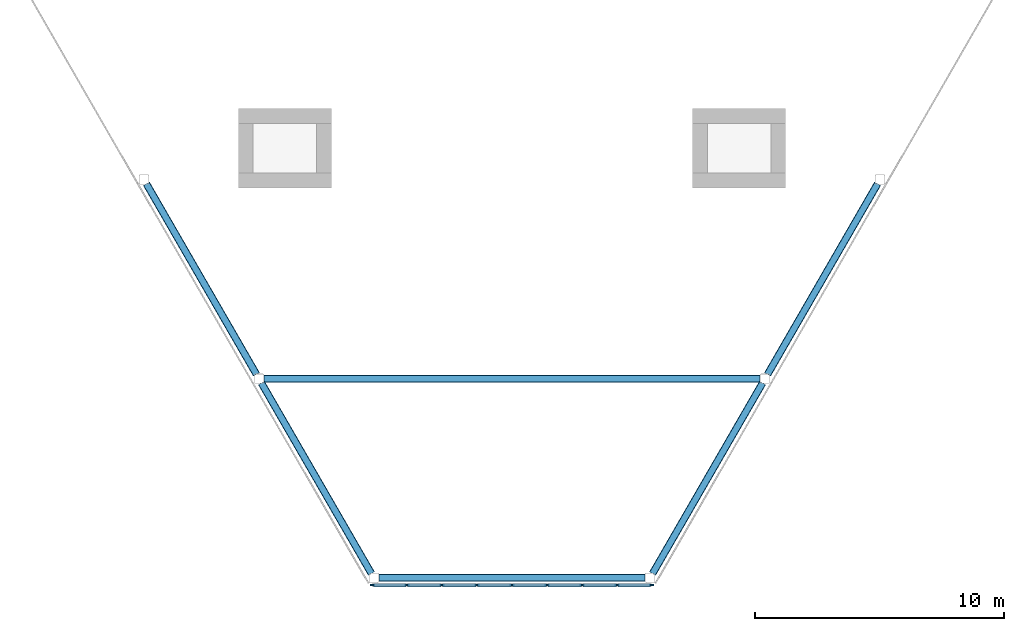
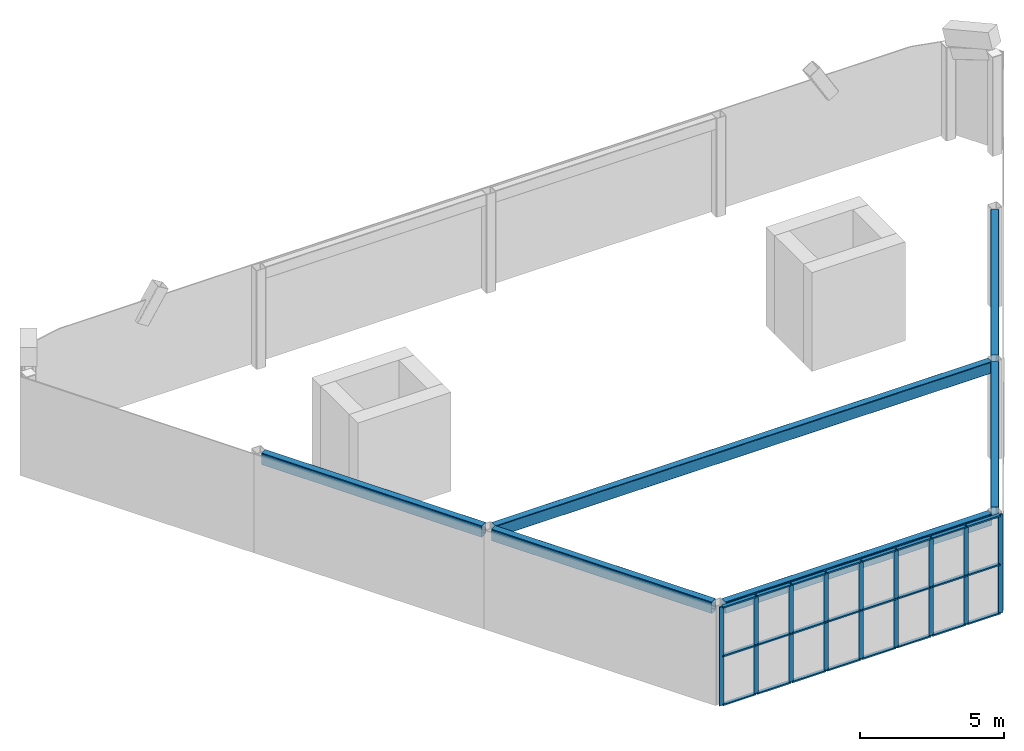
# One storey, part 2 of 4: 33 members, 6 beams, 1 element without a shape of its own.
"""IFC4 building model written with IfcOpenShell, lengths in metres."""

from ifc_helpers import new_model, si_unit, direction, frame, origin, origin_2d, place, context, subcontext, project, spatial, rectangle, hollow_rectangle, extrude, material, material_profile, profile_set, type_object, element, aggregate, save


model = new_model("IFC4")

# Units and contexts
model_context = context("Model", 3, precision=1e-05, world=origin(), true_north=direction((0.0, 1.0)))
body_context = subcontext(model_context, "Body", "Model", "MODEL_VIEW")
ifc_project = project(units=[si_unit("LENGTHUNIT", "METRE"), si_unit("AREAUNIT", "SQUARE_METRE"), si_unit("VOLUMEUNIT", "CUBIC_METRE"), si_unit("PLANEANGLEUNIT", "RADIAN"), si_unit("MASSUNIT", "GRAM", prefix="KILO")], contexts=[model_context])

# Site, building, storey
site_placement = place(None, origin())
site = spatial("IfcSite", under=ifc_project, at=site_placement, CompositionType="ELEMENT")
building_placement = place(site_placement, origin())
building = spatial("IfcBuilding", under=site, at=building_placement, Name="Aloe Facet Convention Tower", CompositionType="ELEMENT")
storey_placement = place(building_placement, frame((0.0, 0.0, 289.699951171875)))
storey = spatial("IfcBuildingStorey", under=building, at=storey_placement, Name="C2", CompositionType="ELEMENT", Elevation=289.699951171875)

# Curtain wall, members
ifc_material_1 = material(Name="Aluminium, anodised", Category="aluminium")
curtain_wall_type = type_object("IfcCurtainWallType", Name="EV-CW-CROWN", PredefinedType="USERDEFINED", material=ifc_material_1)
curtain_wall_placement = place(storey_placement, origin())
curtain_wall = element("IfcCurtainWall", 1, at=curtain_wall_placement, inside=storey, type_object=curtain_wall_type, Name="CW-C2-Z09", ObjectType="CROWN SCREEN GLAZING", PredefinedType="USERDEFINED")
ifc_material_2 = material(Name="Aluminium, anodised", Category="aluminium")
ifc_material_profile_1 = material_profile(ifc_material_2, rectangle(XDim=0.06005859375, YDim=0.179931640625, at=origin_2d()), Name="AL 60x180")
ifc_profile_set_1 = profile_set([ifc_material_profile_1], Name="Aluminium, anodised")
member_type_1 = type_object("IfcMemberType", Name="EV-MULL-CROWN", PredefinedType="MULLION", material=ifc_profile_set_1)
member_1_placement = place(storey_placement, frame((74.401611328125, 108.890625, 0.0), z_axis=(0.0, 0.0, 1.0), x_axis=(0.0, 1.0, 0.0)))
member_1 = element("IfcMember", 2, at=member_1_placement, type_object=member_type_1, Name="CW-C2-Z09 mullion 1", PredefinedType="MULLION", context=body_context, shape_type="SweptSolid", body=[
    extrude(rectangle(XDim=0.06005859375, YDim=0.179931640625, at=origin_2d()), origin(), (0.0, 0.0, 1.0), 4.199951171875),
])
member_2_placement = place(storey_placement, frame((75.77880859375, 108.890625, 0.0), z_axis=(0.0, 0.0, 1.0), x_axis=(0.0, 1.0, 0.0)))
member_2 = element("IfcMember", 3, at=member_2_placement, type_object=member_type_1, Name="CW-C2-Z09 mullion 2", PredefinedType="MULLION", context=body_context, shape_type="SweptSolid", body=[
    extrude(rectangle(XDim=0.06005859375, YDim=0.179931640625, at=origin_2d()), origin(), (0.0, 0.0, 1.0), 4.199951171875),
])
member_3_placement = place(storey_placement, frame((77.185791015625, 108.890625, 0.0), z_axis=(0.0, 0.0, 1.0), x_axis=(0.0, 1.0, 0.0)))
member_3 = element("IfcMember", 4, at=member_3_placement, type_object=member_type_1, Name="CW-C2-Z09 mullion 3", PredefinedType="MULLION", context=body_context, shape_type="SweptSolid", body=[
    extrude(rectangle(XDim=0.06005859375, YDim=0.179931640625, at=origin_2d()), origin(), (0.0, 0.0, 1.0), 4.199951171875),
])
member_4_placement = place(storey_placement, frame((78.593017578125, 108.890625, 0.0), z_axis=(0.0, 0.0, 1.0), x_axis=(0.0, 1.0, 0.0)))
member_4 = element("IfcMember", 5, at=member_4_placement, type_object=member_type_1, Name="CW-C2-Z09 mullion 4", PredefinedType="MULLION", context=body_context, shape_type="SweptSolid", body=[
    extrude(rectangle(XDim=0.06005859375, YDim=0.179931640625, at=origin_2d()), origin(), (0.0, 0.0, 1.0), 4.199951171875),
])
member_5_placement = place(storey_placement, frame((80.0, 108.890625, 0.0), z_axis=(0.0, 0.0, 1.0), x_axis=(0.0, 1.0, 0.0)))
member_5 = element("IfcMember", 6, at=member_5_placement, type_object=member_type_1, Name="CW-C2-Z09 mullion 5", PredefinedType="MULLION", context=body_context, shape_type="SweptSolid", body=[
    extrude(rectangle(XDim=0.06005859375, YDim=0.179931640625, at=origin_2d()), origin(), (0.0, 0.0, 1.0), 4.199951171875),
])
member_6_placement = place(storey_placement, frame((81.406982421875, 108.890625, 0.0), z_axis=(0.0, 0.0, 1.0), x_axis=(0.0, 1.0, 0.0)))
member_6 = element("IfcMember", 7, at=member_6_placement, type_object=member_type_1, Name="CW-C2-Z09 mullion 6", PredefinedType="MULLION", context=body_context, shape_type="SweptSolid", body=[
    extrude(rectangle(XDim=0.06005859375, YDim=0.179931640625, at=origin_2d()), origin(), (0.0, 0.0, 1.0), 4.199951171875),
])
member_7_placement = place(storey_placement, frame((82.814208984375, 108.890625, 0.0), z_axis=(0.0, 0.0, 1.0), x_axis=(0.0, 1.0, 0.0)))
member_7 = element("IfcMember", 8, at=member_7_placement, type_object=member_type_1, Name="CW-C2-Z09 mullion 7", PredefinedType="MULLION", context=body_context, shape_type="SweptSolid", body=[
    extrude(rectangle(XDim=0.06005859375, YDim=0.179931640625, at=origin_2d()), origin(), (0.0, 0.0, 1.0), 4.199951171875),
])
member_8_placement = place(storey_placement, frame((84.22119140625, 108.890625, 0.0), z_axis=(0.0, 0.0, 1.0), x_axis=(0.0, 1.0, 0.0)))
member_8 = element("IfcMember", 9, at=member_8_placement, type_object=member_type_1, Name="CW-C2-Z09 mullion 8", PredefinedType="MULLION", context=body_context, shape_type="SweptSolid", body=[
    extrude(rectangle(XDim=0.06005859375, YDim=0.179931640625, at=origin_2d()), origin(), (0.0, 0.0, 1.0), 4.199951171875),
])
member_9_placement = place(storey_placement, frame((85.598388671875, 108.890625, 0.0), z_axis=(0.0, 0.0, 1.0), x_axis=(0.0, 1.0, 0.0)))
member_9 = element("IfcMember", 10, at=member_9_placement, type_object=member_type_1, Name="CW-C2-Z09 mullion 9", PredefinedType="MULLION", context=body_context, shape_type="SweptSolid", body=[
    extrude(rectangle(XDim=0.06005859375, YDim=0.179931640625, at=origin_2d()), origin(), (0.0, 0.0, 1.0), 4.199951171875),
])
ifc_material_3 = material(Name="Aluminium, anodised", Category="aluminium")
ifc_material_profile_2 = material_profile(ifc_material_3, rectangle(XDim=0.139892578125, YDim=0.06005859375, at=origin_2d()), Name="AL 140x60")
ifc_profile_set_2 = profile_set([ifc_material_profile_2], Name="Aluminium, anodised")
member_type_2 = type_object("IfcMemberType", Name="EV-TRAN-CROWN", PredefinedType="USERDEFINED", material=ifc_profile_set_2)
member_10_placement = place(storey_placement, frame((74.431640625, 108.890625, 0.030029296875), z_axis=(1.0, 0.0, 0.0), x_axis=(0.0, 1.0, 0.0)))
member_10 = element("IfcMember", 11, at=member_10_placement, type_object=member_type_2, Name="CW-C2-Z09 transom 1.1", ObjectType="TRANSOM", PredefinedType="USERDEFINED", context=body_context, shape_type="SweptSolid", body=[
    extrude(rectangle(XDim=0.139892578125, YDim=0.06005859375, at=origin_2d()), origin(), (0.0, 0.0, 1.0), 1.317138671875),
])
member_11_placement = place(storey_placement, frame((74.431640625, 108.890625, 2.10009765625), z_axis=(1.0, 0.0, 0.0), x_axis=(0.0, 1.0, 0.0)))
member_11 = element("IfcMember", 12, at=member_11_placement, type_object=member_type_2, Name="CW-C2-Z09 transom 1.2", ObjectType="TRANSOM", PredefinedType="USERDEFINED", context=body_context, shape_type="SweptSolid", body=[
    extrude(rectangle(XDim=0.139892578125, YDim=0.06005859375, at=origin_2d()), origin(), (0.0, 0.0, 1.0), 1.317138671875),
])
member_12_placement = place(storey_placement, frame((74.431640625, 108.890625, 4.170166015625), z_axis=(1.0, 0.0, 0.0), x_axis=(0.0, 1.0, 0.0)))
member_12 = element("IfcMember", 13, at=member_12_placement, type_object=member_type_2, Name="CW-C2-Z09 transom 1.3", ObjectType="TRANSOM", PredefinedType="USERDEFINED", context=body_context, shape_type="SweptSolid", body=[
    extrude(rectangle(XDim=0.139892578125, YDim=0.06005859375, at=origin_2d()), origin(), (0.0, 0.0, 1.0), 1.317138671875),
])
member_13_placement = place(storey_placement, frame((75.808837890625, 108.890625, 0.030029296875), z_axis=(1.0, 0.0, 0.0), x_axis=(0.0, 1.0, 0.0)))
member_13 = element("IfcMember", 14, at=member_13_placement, type_object=member_type_2, Name="CW-C2-Z09 transom 2.1", ObjectType="TRANSOM", PredefinedType="USERDEFINED", context=body_context, shape_type="SweptSolid", body=[
    extrude(rectangle(XDim=0.139892578125, YDim=0.06005859375, at=origin_2d()), origin(), (0.0, 0.0, 1.0), 1.346923828125),
])
member_14_placement = place(storey_placement, frame((75.808837890625, 108.890625, 2.10009765625), z_axis=(1.0, 0.0, 0.0), x_axis=(0.0, 1.0, 0.0)))
member_14 = element("IfcMember", 15, at=member_14_placement, type_object=member_type_2, Name="CW-C2-Z09 transom 2.2", ObjectType="TRANSOM", PredefinedType="USERDEFINED", context=body_context, shape_type="SweptSolid", body=[
    extrude(rectangle(XDim=0.139892578125, YDim=0.06005859375, at=origin_2d()), origin(), (0.0, 0.0, 1.0), 1.346923828125),
])
member_15_placement = place(storey_placement, frame((75.808837890625, 108.890625, 4.170166015625), z_axis=(1.0, 0.0, 0.0), x_axis=(0.0, 1.0, 0.0)))
member_15 = element("IfcMember", 16, at=member_15_placement, type_object=member_type_2, Name="CW-C2-Z09 transom 2.3", ObjectType="TRANSOM", PredefinedType="USERDEFINED", context=body_context, shape_type="SweptSolid", body=[
    extrude(rectangle(XDim=0.139892578125, YDim=0.06005859375, at=origin_2d()), origin(), (0.0, 0.0, 1.0), 1.346923828125),
])
member_16_placement = place(storey_placement, frame((77.2158203125, 108.890625, 0.030029296875), z_axis=(1.0, 0.0, 0.0), x_axis=(0.0, 1.0, 0.0)))
member_16 = element("IfcMember", 17, at=member_16_placement, type_object=member_type_2, Name="CW-C2-Z09 transom 3.1", ObjectType="TRANSOM", PredefinedType="USERDEFINED", context=body_context, shape_type="SweptSolid", body=[
    extrude(rectangle(XDim=0.139892578125, YDim=0.06005859375, at=origin_2d()), origin(), (0.0, 0.0, 1.0), 1.34716796875),
])
member_17_placement = place(storey_placement, frame((77.2158203125, 108.890625, 2.10009765625), z_axis=(1.0, 0.0, 0.0), x_axis=(0.0, 1.0, 0.0)))
member_17 = element("IfcMember", 18, at=member_17_placement, type_object=member_type_2, Name="CW-C2-Z09 transom 3.2", ObjectType="TRANSOM", PredefinedType="USERDEFINED", context=body_context, shape_type="SweptSolid", body=[
    extrude(rectangle(XDim=0.139892578125, YDim=0.06005859375, at=origin_2d()), origin(), (0.0, 0.0, 1.0), 1.34716796875),
])
member_18_placement = place(storey_placement, frame((77.2158203125, 108.890625, 4.170166015625), z_axis=(1.0, 0.0, 0.0), x_axis=(0.0, 1.0, 0.0)))
member_18 = element("IfcMember", 19, at=member_18_placement, type_object=member_type_2, Name="CW-C2-Z09 transom 3.3", ObjectType="TRANSOM", PredefinedType="USERDEFINED", context=body_context, shape_type="SweptSolid", body=[
    extrude(rectangle(XDim=0.139892578125, YDim=0.06005859375, at=origin_2d()), origin(), (0.0, 0.0, 1.0), 1.34716796875),
])
member_19_placement = place(storey_placement, frame((78.622802734375, 108.890625, 0.030029296875), z_axis=(1.0, 0.0, 0.0), x_axis=(0.0, 1.0, 0.0)))
member_19 = element("IfcMember", 20, at=member_19_placement, type_object=member_type_2, Name="CW-C2-Z09 transom 4.1", ObjectType="TRANSOM", PredefinedType="USERDEFINED", context=body_context, shape_type="SweptSolid", body=[
    extrude(rectangle(XDim=0.139892578125, YDim=0.06005859375, at=origin_2d()), origin(), (0.0, 0.0, 1.0), 1.34716796875),
])
member_20_placement = place(storey_placement, frame((78.622802734375, 108.890625, 2.10009765625), z_axis=(1.0, 0.0, 0.0), x_axis=(0.0, 1.0, 0.0)))
member_20 = element("IfcMember", 21, at=member_20_placement, type_object=member_type_2, Name="CW-C2-Z09 transom 4.2", ObjectType="TRANSOM", PredefinedType="USERDEFINED", context=body_context, shape_type="SweptSolid", body=[
    extrude(rectangle(XDim=0.139892578125, YDim=0.06005859375, at=origin_2d()), origin(), (0.0, 0.0, 1.0), 1.34716796875),
])
member_21_placement = place(storey_placement, frame((78.622802734375, 108.890625, 4.170166015625), z_axis=(1.0, 0.0, 0.0), x_axis=(0.0, 1.0, 0.0)))
member_21 = element("IfcMember", 22, at=member_21_placement, type_object=member_type_2, Name="CW-C2-Z09 transom 4.3", ObjectType="TRANSOM", PredefinedType="USERDEFINED", context=body_context, shape_type="SweptSolid", body=[
    extrude(rectangle(XDim=0.139892578125, YDim=0.06005859375, at=origin_2d()), origin(), (0.0, 0.0, 1.0), 1.34716796875),
])
member_22_placement = place(storey_placement, frame((80.030029296875, 108.890625, 0.030029296875), z_axis=(1.0, 0.0, 0.0), x_axis=(0.0, 1.0, 0.0)))
member_22 = element("IfcMember", 23, at=member_22_placement, type_object=member_type_2, Name="CW-C2-Z09 transom 5.1", ObjectType="TRANSOM", PredefinedType="USERDEFINED", context=body_context, shape_type="SweptSolid", body=[
    extrude(rectangle(XDim=0.139892578125, YDim=0.06005859375, at=origin_2d()), origin(), (0.0, 0.0, 1.0), 1.34716796875),
])
member_23_placement = place(storey_placement, frame((80.030029296875, 108.890625, 2.10009765625), z_axis=(1.0, 0.0, 0.0), x_axis=(0.0, 1.0, 0.0)))
member_23 = element("IfcMember", 24, at=member_23_placement, type_object=member_type_2, Name="CW-C2-Z09 transom 5.2", ObjectType="TRANSOM", PredefinedType="USERDEFINED", context=body_context, shape_type="SweptSolid", body=[
    extrude(rectangle(XDim=0.139892578125, YDim=0.06005859375, at=origin_2d()), origin(), (0.0, 0.0, 1.0), 1.34716796875),
])
member_24_placement = place(storey_placement, frame((80.030029296875, 108.890625, 4.170166015625), z_axis=(1.0, 0.0, 0.0), x_axis=(0.0, 1.0, 0.0)))
member_24 = element("IfcMember", 25, at=member_24_placement, type_object=member_type_2, Name="CW-C2-Z09 transom 5.3", ObjectType="TRANSOM", PredefinedType="USERDEFINED", context=body_context, shape_type="SweptSolid", body=[
    extrude(rectangle(XDim=0.139892578125, YDim=0.06005859375, at=origin_2d()), origin(), (0.0, 0.0, 1.0), 1.34716796875),
])
member_25_placement = place(storey_placement, frame((81.43701171875, 108.890625, 0.030029296875), z_axis=(1.0, 0.0, 0.0), x_axis=(0.0, 1.0, 0.0)))
member_25 = element("IfcMember", 26, at=member_25_placement, type_object=member_type_2, Name="CW-C2-Z09 transom 6.1", ObjectType="TRANSOM", PredefinedType="USERDEFINED", context=body_context, shape_type="SweptSolid", body=[
    extrude(rectangle(XDim=0.139892578125, YDim=0.06005859375, at=origin_2d()), origin(), (0.0, 0.0, 1.0), 1.34716796875),
])
member_26_placement = place(storey_placement, frame((81.43701171875, 108.890625, 2.10009765625), z_axis=(1.0, 0.0, 0.0), x_axis=(0.0, 1.0, 0.0)))
member_26 = element("IfcMember", 27, at=member_26_placement, type_object=member_type_2, Name="CW-C2-Z09 transom 6.2", ObjectType="TRANSOM", PredefinedType="USERDEFINED", context=body_context, shape_type="SweptSolid", body=[
    extrude(rectangle(XDim=0.139892578125, YDim=0.06005859375, at=origin_2d()), origin(), (0.0, 0.0, 1.0), 1.34716796875),
])
member_27_placement = place(storey_placement, frame((81.43701171875, 108.890625, 4.170166015625), z_axis=(1.0, 0.0, 0.0), x_axis=(0.0, 1.0, 0.0)))
member_27 = element("IfcMember", 28, at=member_27_placement, type_object=member_type_2, Name="CW-C2-Z09 transom 6.3", ObjectType="TRANSOM", PredefinedType="USERDEFINED", context=body_context, shape_type="SweptSolid", body=[
    extrude(rectangle(XDim=0.139892578125, YDim=0.06005859375, at=origin_2d()), origin(), (0.0, 0.0, 1.0), 1.34716796875),
])
member_28_placement = place(storey_placement, frame((82.84423828125, 108.890625, 0.030029296875), z_axis=(1.0, 0.0, 0.0), x_axis=(0.0, 1.0, 0.0)))
member_28 = element("IfcMember", 29, at=member_28_placement, type_object=member_type_2, Name="CW-C2-Z09 transom 7.1", ObjectType="TRANSOM", PredefinedType="USERDEFINED", context=body_context, shape_type="SweptSolid", body=[
    extrude(rectangle(XDim=0.139892578125, YDim=0.06005859375, at=origin_2d()), origin(), (0.0, 0.0, 1.0), 1.346923828125),
])
member_29_placement = place(storey_placement, frame((82.84423828125, 108.890625, 2.10009765625), z_axis=(1.0, 0.0, 0.0), x_axis=(0.0, 1.0, 0.0)))
member_29 = element("IfcMember", 30, at=member_29_placement, type_object=member_type_2, Name="CW-C2-Z09 transom 7.2", ObjectType="TRANSOM", PredefinedType="USERDEFINED", context=body_context, shape_type="SweptSolid", body=[
    extrude(rectangle(XDim=0.139892578125, YDim=0.06005859375, at=origin_2d()), origin(), (0.0, 0.0, 1.0), 1.346923828125),
])
member_30_placement = place(storey_placement, frame((82.84423828125, 108.890625, 4.170166015625), z_axis=(1.0, 0.0, 0.0), x_axis=(0.0, 1.0, 0.0)))
member_30 = element("IfcMember", 31, at=member_30_placement, type_object=member_type_2, Name="CW-C2-Z09 transom 7.3", ObjectType="TRANSOM", PredefinedType="USERDEFINED", context=body_context, shape_type="SweptSolid", body=[
    extrude(rectangle(XDim=0.139892578125, YDim=0.06005859375, at=origin_2d()), origin(), (0.0, 0.0, 1.0), 1.346923828125),
])
member_31_placement = place(storey_placement, frame((84.251220703125, 108.890625, 0.030029296875), z_axis=(1.0, 0.0, 0.0), x_axis=(0.0, 1.0, 0.0)))
member_31 = element("IfcMember", 32, at=member_31_placement, type_object=member_type_2, Name="CW-C2-Z09 transom 8.1", ObjectType="TRANSOM", PredefinedType="USERDEFINED", context=body_context, shape_type="SweptSolid", body=[
    extrude(rectangle(XDim=0.139892578125, YDim=0.06005859375, at=origin_2d()), origin(), (0.0, 0.0, 1.0), 1.317138671875),
])
member_32_placement = place(storey_placement, frame((84.251220703125, 108.890625, 2.10009765625), z_axis=(1.0, 0.0, 0.0), x_axis=(0.0, 1.0, 0.0)))
member_32 = element("IfcMember", 33, at=member_32_placement, type_object=member_type_2, Name="CW-C2-Z09 transom 8.2", ObjectType="TRANSOM", PredefinedType="USERDEFINED", context=body_context, shape_type="SweptSolid", body=[
    extrude(rectangle(XDim=0.139892578125, YDim=0.06005859375, at=origin_2d()), origin(), (0.0, 0.0, 1.0), 1.317138671875),
])
member_33_placement = place(storey_placement, frame((84.251220703125, 108.890625, 4.170166015625), z_axis=(1.0, 0.0, 0.0), x_axis=(0.0, 1.0, 0.0)))
member_33 = element("IfcMember", 34, at=member_33_placement, type_object=member_type_2, Name="CW-C2-Z09 transom 8.3", ObjectType="TRANSOM", PredefinedType="USERDEFINED", context=body_context, shape_type="SweptSolid", body=[
    extrude(rectangle(XDim=0.139892578125, YDim=0.06005859375, at=origin_2d()), origin(), (0.0, 0.0, 1.0), 1.317138671875),
])
aggregate(curtain_wall, [member_1, member_2, member_3, member_4, member_5, member_6, member_7, member_8, member_9, member_10, member_11, member_12, member_13, member_14, member_15, member_16, member_17, member_18, member_19, member_20, member_21, member_22, member_23, member_24, member_25, member_26, member_27, member_28, member_29, member_30, member_31, member_32, member_33])

# Beams
ifc_material_4 = material(Name="Steel S355, bronze oxide finish", Category="steel")
ifc_material_profile_3 = material_profile(ifc_material_4, hollow_rectangle(XDim=0.300048828125, YDim=0.5, WallThickness=0.02001953125, InnerFilletRadius=0.02001953125, OuterFilletRadius=0.0400390625, at=origin_2d()), Name="RHS 500x300x20")
ifc_profile_set_3 = profile_set([ifc_material_profile_3], Name="Steel S355, bronze oxide finish")
beam_type = type_object("IfcBeamType", Name="STW-CROWN FRAME RING", PredefinedType="BEAM", material=ifc_profile_set_3)
beam_1_placement = place(storey_placement, frame((65.30859375, 125.016845703125, 3.949951171875), z_axis=(0.500002058268, -0.866024215439, 0.0), x_axis=(0.866024215439, 0.500002058268, 0.0)))
element("IfcBeam", 35, at=beam_1_placement, inside=storey, type_object=beam_type, Name="Crown frame ring CF-R-B07-C3", PredefinedType="BEAM", context=body_context, shape_type="SweptSolid", body=[
    extrude(hollow_rectangle(XDim=0.300048828125, YDim=0.5, WallThickness=0.02001953125, InnerFilletRadius=0.02001953125, OuterFilletRadius=0.0400390625, at=origin_2d()), origin(), (0.0, 0.0, 1.0), 8.84326171875),
])
beam_2_placement = place(storey_placement, frame((69.93017578125, 117.011962890625, 3.949951171875), z_axis=(0.49999330673, -0.866029268111, 0.0), x_axis=(0.866029268111, 0.49999330673, 0.0)))
element("IfcBeam", 36, at=beam_2_placement, inside=storey, type_object=beam_type, Name="Crown frame ring CF-R-B08-C3", PredefinedType="BEAM", context=body_context, shape_type="SweptSolid", body=[
    extrude(hollow_rectangle(XDim=0.300048828125, YDim=0.5, WallThickness=0.02001953125, InnerFilletRadius=0.02001953125, OuterFilletRadius=0.0400390625, at=origin_2d()), origin(), (0.0, 0.0, 1.0), 8.8427734375),
])
beam_3_placement = place(storey_placement, frame((74.651611328125, 109.180419921875, 3.949951171875), z_axis=(1.0, 0.0, 0.0), x_axis=(0.0, 1.0, 0.0)))
element("IfcBeam", 37, at=beam_3_placement, inside=storey, type_object=beam_type, Name="Crown frame ring CF-R-B09-C3", PredefinedType="BEAM", context=body_context, shape_type="SweptSolid", body=[
    extrude(hollow_rectangle(XDim=0.300048828125, YDim=0.5, WallThickness=0.02001953125, InnerFilletRadius=0.02001953125, OuterFilletRadius=0.0400390625, at=origin_2d()), origin(), (0.0, 0.0, 1.0), 10.69677734375),
])
beam_4_placement = place(storey_placement, frame((85.6484375, 109.353759765625, 3.949951171875), z_axis=(0.49999330673, 0.866029268111, 0.0), x_axis=(-0.866029268111, 0.49999330673, 0.0)))
element("IfcBeam", 38, at=beam_4_placement, inside=storey, type_object=beam_type, Name="Crown frame ring CF-R-B10-C3", PredefinedType="BEAM", context=body_context, shape_type="SweptSolid", body=[
    extrude(hollow_rectangle(XDim=0.300048828125, YDim=0.5, WallThickness=0.02001953125, InnerFilletRadius=0.02001953125, OuterFilletRadius=0.0400390625, at=origin_2d()), origin(), (0.0, 0.0, 1.0), 8.8427734375),
])
beam_5_placement = place(storey_placement, frame((90.269775390625, 117.3583984375, 3.949951171875), z_axis=(0.500002058268, 0.866024215439, 0.0), x_axis=(-0.866024215439, 0.500002058268, 0.0)))
element("IfcBeam", 39, at=beam_5_placement, inside=storey, type_object=beam_type, Name="Crown frame ring CF-R-B11-C3", PredefinedType="BEAM", context=body_context, shape_type="SweptSolid", body=[
    extrude(hollow_rectangle(XDim=0.300048828125, YDim=0.5, WallThickness=0.02001953125, InnerFilletRadius=0.02001953125, OuterFilletRadius=0.0400390625, at=origin_2d()), origin(), (0.0, 0.0, 1.0), 8.84326171875),
])
beam_6_placement = place(storey_placement, frame((70.030029296875, 117.185302734375, 3.949951171875), z_axis=(1.0, 0.0, 0.0), x_axis=(0.0, 1.0, 0.0)))
element("IfcBeam", 40, at=beam_6_placement, inside=storey, type_object=beam_type, Name="Crown frame tie CF-R-T01-C3", PredefinedType="BEAM", context=body_context, shape_type="SweptSolid", body=[
    extrude(hollow_rectangle(XDim=0.300048828125, YDim=0.5, WallThickness=0.02001953125, InnerFilletRadius=0.02001953125, OuterFilletRadius=0.0400390625, at=origin_2d()), origin(), (0.0, 0.0, 1.0), 19.93994140625),
])

save(model, "model.ifc")
